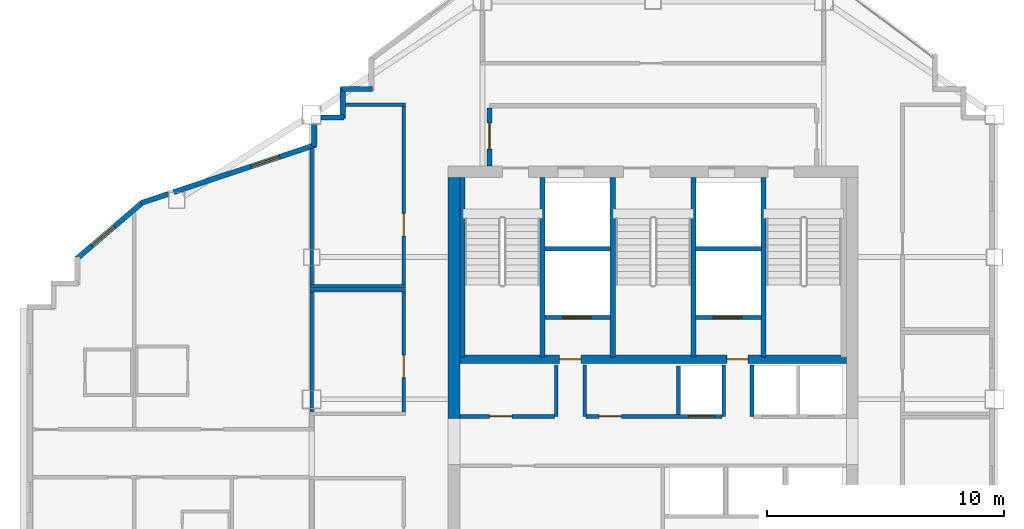
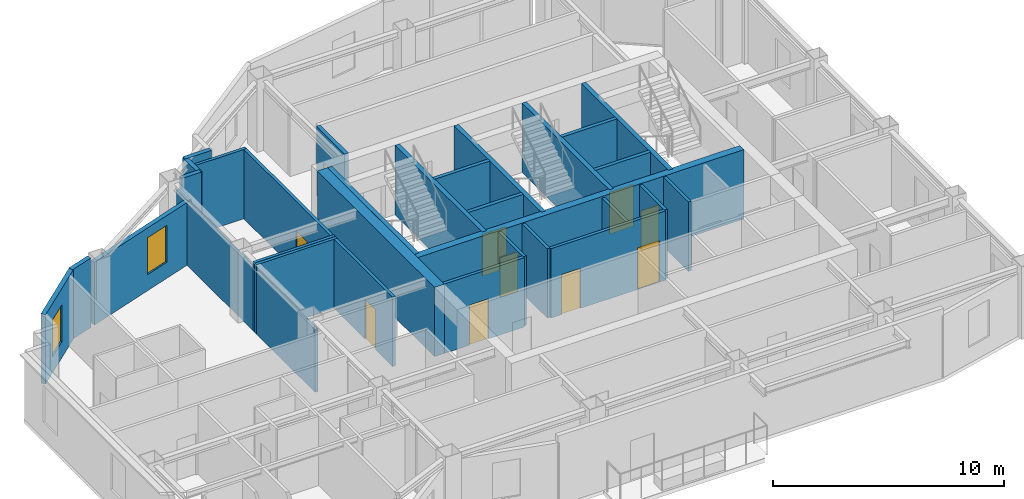
# One storey, part 6 of 10: 33 walls, 10 doors, 2 windows, 12 openings.
"""IFC4 building model written with IfcOpenShell, lengths in metres."""

from ifc_helpers import new_model, si_unit, direction, frame, frame_2d, origin, place, context, subcontext, project, spatial, rectangle, extrude, material, layer, layer_set, type_object, element, fill, save


model = new_model("IFC4")

# Units and contexts
model_context = context("Model", 3, precision=1e-05, world=origin(), true_north=direction((0.0, 1.0)))
body_context = subcontext(model_context, "Body", "Model", "MODEL_VIEW")
ifc_project = project(units=[si_unit("LENGTHUNIT", "METRE"), si_unit("AREAUNIT", "SQUARE_METRE"), si_unit("VOLUMEUNIT", "CUBIC_METRE"), si_unit("PLANEANGLEUNIT", "RADIAN"), si_unit("MASSUNIT", "GRAM", prefix="KILO")], contexts=[model_context])

# Site, building, storey
site_placement = place(None, origin())
site = spatial("IfcSite", under=ifc_project, at=site_placement, CompositionType="ELEMENT")
building_placement = place(site_placement, origin())
building = spatial("IfcBuilding", under=site, at=building_placement, Name="Haolan Belvedere Tower", CompositionType="ELEMENT")
storey_placement = place(building_placement, frame((0.0, 0.0, 266.0)))
storey = spatial("IfcBuildingStorey", under=building, at=storey_placement, Name="L67", CompositionType="ELEMENT", Elevation=266.0)

# Walls
ifc_material_1 = material(Name="Concrete C50/60", Category="concrete")
ifc_layer_1 = layer(ifc_material_1, 0.5, Name="Concrete C50/60")
ifc_layer_set_1 = layer_set([ifc_layer_1], Name="Concrete C50/60")
wall_type_1 = type_object("IfcWallType", Name="WL-CORE-500", PredefinedType="SHEAR", material=ifc_layer_set_1)
wall_1_placement = place(storey_placement, frame((30.0, 32.800048828125, 0.0), z_axis=(0.0, 0.0, 1.0), x_axis=(0.0, 1.0, 0.0)))
element("IfcWall", 1, at=wall_1_placement, inside=storey, type_object=wall_type_1, Name="L67 central core shear wall WN", PredefinedType="SHEAR", context=body_context, shape_type="SweptSolid", body=[
    extrude(rectangle(XDim=10.14990234375, YDim=0.5, at=frame_2d((5.074951171875, 0.0))), origin(), (0.0, 0.0, 1.0), 3.669921875),
])
ifc_material_2 = material(Name="Precast concrete C40/50", Category="concrete")
ifc_layer_2 = layer(ifc_material_2, 0.219970703125, Name="Precast concrete C40/50")
ifc_layer_set_2 = layer_set([ifc_layer_2], Name="Precast concrete C40/50")
wall_type_2 = type_object("IfcWallType", Name="WL-EXT-220", PredefinedType="SOLIDWALL", material=ifc_layer_set_2)
for number, where, z_axis, x_axis, name in (
    (2, (26.56494140625, 46.68994140625, 0.0), (0.0, 0.0, 1.0), (-1.0, 0.0, 0.0), "L67 pale-metal exterior spandrel wall 13.1"),
    (3, (25.31005859375, 46.7451171875, 0.0), (0.0, 0.0, 1.0), (0.0, -1.0, 0.0), "L67 pale-metal exterior spandrel wall 14.1"),
):
    element("IfcWall", number, at=place(storey_placement, frame(where, z_axis=z_axis, x_axis=x_axis)), inside=storey, type_object=wall_type_2, Name=name, PredefinedType="SOLIDWALL", context=body_context, shape_type="SweptSolid", body=[
        extrude(rectangle(XDim=1.31005859375, YDim=0.219970703125, at=frame_2d((0.655029296875, 0.0))), origin(), (0.0, 0.0, 1.0), 3.669921875),
    ])
wall_2_placement = place(storey_placement, frame((25.364990234375, 45.489990234375, 0.0), z_axis=(0.0, 0.0, 1.0), x_axis=(-1.0, 0.0, 0.0)))
element("IfcWall", 4, at=wall_2_placement, inside=storey, type_object=wall_type_2, Name="L67 pale-metal exterior spandrel wall 15.1", PredefinedType="SOLIDWALL", context=body_context, shape_type="SweptSolid", body=[
    extrude(rectangle(XDim=0.972900390625, YDim=0.219970703125, at=frame_2d((0.486328125, 0.0))), origin(), (0.0, 0.0, 1.0), 3.669921875),
])
wall_3_placement = place(storey_placement, frame((24.110107421875, 45.2080078125, 0.0), z_axis=(0.0, 0.0, 1.0), x_axis=(0.0, -1.0, 0.0)))
element("IfcWall", 5, at=wall_3_placement, inside=storey, type_object=wall_type_2, Name="L67 pale-metal exterior spandrel wall 16.1", PredefinedType="SOLIDWALL", context=body_context, shape_type="SweptSolid", body=[
    extrude(rectangle(XDim=0.9423828125, YDim=0.219970703125, at=frame_2d((0.47119140625, 0.0))), origin(), (0.0, 0.0, 1.0), 3.31494140625),
])

# Wall, opening, window
wall_4_placement = place(storey_placement, frame((24.162109375, 44.338134765625, 0.0), z_axis=(0.0, 0.0, 1.0), x_axis=(-0.948687165594, -0.31621616315, 0.0)))
wall_4 = element("IfcWall", 6, at=wall_4_placement, inside=storey, type_object=wall_type_2, Name="L67 pale-metal exterior spandrel wall 17.1", PredefinedType="SOLIDWALL", context=body_context, shape_type="SweptSolid", body=[
    extrude(rectangle(XDim=6.3125, YDim=0.219970703125, at=frame_2d((3.15625, 0.0))), origin(), (0.0, 0.0, 1.0), 3.31494140625),
])
opening_1_placement = place(wall_4_placement, frame((1.60009765625, 0.0, 0.85009765625)))
opening_1 = element("IfcOpeningElement", 7, at=opening_1_placement, cuts=wall_4, Name="Opening W-04", PredefinedType="OPENING", context=body_context, shape_type="SweptSolid", body=[
    extrude(rectangle(XDim=1.25, YDim=1.949951171875, at=frame_2d((0.625, 0.97509765625))), frame((0.0, 0.119873046875, 0.0), z_axis=(0.0, -1.0, 0.0), x_axis=(1.0, 0.0, 0.0)), (0.0, 0.0, 1.0), 0.239990234375),
])
ifc_material_3 = material(Name="Anodised aluminium 6063-T6 and Low-E glass", Category="aluminium")
window_type = type_object("IfcWindowType", Name="WN-DECO-Z4", PartitioningType="SINGLE_PANEL", PredefinedType="WINDOW", material=ifc_material_3)
window_1_placement = place(opening_1_placement, origin())
window_1 = element("IfcWindow", 8, at=window_1_placement, inside=storey, type_object=window_type, Name="L67 Art Deco chevron window 1", OverallHeight=1.949951171875, OverallWidth=1.25, PartitioningType="SINGLE_PANEL", PredefinedType="WINDOW", context=body_context, shape_type="SweptSolid", body=[
    extrude(rectangle(XDim=1.25, YDim=1.949951171875, at=frame_2d((0.625, 0.97509765625))), frame((0.0, 0.030029296875, 0.0), z_axis=(0.0, -1.0, 0.0), x_axis=(1.0, 0.0, 0.0)), (0.0, 0.0, 1.0), 0.06005859375),
])
fill(opening_1, window_1)

# Wall
wall_5_placement = place(storey_placement, frame((17.9580078125, 42.27001953125, 0.0), z_axis=(0.0, 0.0, 1.0), x_axis=(-0.948683298051, -0.316227766017, 0.0)))
element("IfcWall", 9, at=wall_5_placement, inside=storey, type_object=wall_type_2, Name="L67 pale-metal exterior spandrel wall 17.2", PredefinedType="SOLIDWALL", context=body_context, shape_type="SweptSolid", body=[
    extrude(rectangle(XDim=1.217529296875, YDim=0.219970703125, at=frame_2d((0.60888671875, 0.0))), origin(), (0.0, 0.0, 1.0), 3.669921875),
])

# Wall, opening, window
wall_6_placement = place(storey_placement, frame((16.89697265625, 41.938232421875, 0.0), z_axis=(0.0, 0.0, 1.0), x_axis=(-0.759279729622, -0.650764390686, 0.0)))
wall_6 = element("IfcWall", 10, at=wall_6_placement, inside=storey, type_object=wall_type_2, Name="L67 pale-metal exterior spandrel wall 18.1", PredefinedType="SOLIDWALL", context=body_context, shape_type="SweptSolid", body=[
    extrude(rectangle(XDim=3.725830078125, YDim=0.219970703125, at=frame_2d((1.86279296875, 0.0))), origin(), (0.0, 0.0, 1.0), 3.669921875),
])
opening_2_placement = place(wall_6_placement, frame((1.60009765625, 0.0, 0.85009765625)))
opening_2 = element("IfcOpeningElement", 11, at=opening_2_placement, cuts=wall_6, Name="Opening W-04", PredefinedType="OPENING", context=body_context, shape_type="SweptSolid", body=[
    extrude(rectangle(XDim=1.25, YDim=1.949951171875, at=frame_2d((0.625, 0.97509765625))), frame((0.0, 0.119873046875, 0.0), z_axis=(0.0, -1.0, 0.0), x_axis=(1.0, 0.0, 0.0)), (0.0, 0.0, 1.0), 0.239990234375),
])
window_2_placement = place(opening_2_placement, origin())
window_2 = element("IfcWindow", 12, at=window_2_placement, inside=storey, type_object=window_type, Name="L67 Art Deco chevron window 1", OverallHeight=1.949951171875, OverallWidth=1.25, PartitioningType="SINGLE_PANEL", PredefinedType="WINDOW", context=body_context, shape_type="SweptSolid", body=[
    extrude(rectangle(XDim=1.25, YDim=1.949951171875, at=frame_2d((0.625, 0.97509765625))), frame((0.0, 0.030029296875, 0.0), z_axis=(0.0, -1.0, 0.0), x_axis=(1.0, 0.0, 0.0)), (0.0, 0.0, 1.0), 0.06005859375),
])
fill(opening_2, window_2)

# Wall, opening, door
ifc_material_4 = material(Name="Concrete C40/50", Category="concrete")
ifc_layer_3 = layer(ifc_material_4, 0.199951171875, Name="Concrete C40/50")
ifc_layer_set_3 = layer_set([ifc_layer_3], Name="Concrete C40/50")
wall_type_3 = type_object("IfcWallType", Name="WL-FIRE-200", PredefinedType="SOLIDWALL", material=ifc_layer_set_3)
wall_7_placement = place(storey_placement, frame((31.5, 43.449951171875, 0.0), z_axis=(0.0, 0.0, 1.0), x_axis=(0.0, 1.0, 0.0)))
wall_7 = element("IfcWall", 13, at=wall_7_placement, inside=storey, type_object=wall_type_3, Name="L67 interior partition IW-L67-FFL-W", PredefinedType="SOLIDWALL", context=body_context, shape_type="SweptSolid", body=[
    extrude(rectangle(XDim=2.445068359375, YDim=0.199951171875, at=frame_2d((1.22265625, 0.0))), origin(), (0.0, 0.0, 1.0), 3.669921875),
])
opening_3_placement = place(wall_7_placement, frame((1.800048828125, 0.0, 0.0), z_axis=(0.0, 0.0, 1.0), x_axis=(-1.0, 0.0, 0.0)))
opening_3 = element("IfcOpeningElement", 14, at=opening_3_placement, cuts=wall_7, Name="Opening FD-03", PredefinedType="OPENING", context=body_context, shape_type="SweptSolid", body=[
    extrude(rectangle(XDim=1.10009765625, YDim=2.14990234375, at=frame_2d((0.550048828125, 1.074951171875))), frame((0.0, 0.10986328125, 0.0), z_axis=(0.0, -1.0, 0.0), x_axis=(1.0, 0.0, 0.0)), (0.0, 0.0, 1.0), 0.219970703125),
])
ifc_material_5 = material(Name="Galvanised fire-rated steel", Category="steel")
door_type_1 = type_object("IfcDoorType", Name="DR-FD90-1100", OperationType="NOTDEFINED", PredefinedType="DOOR", material=ifc_material_5)
door_1_placement = place(opening_3_placement, origin())
door_1 = element("IfcDoor", 15, at=door_1_placement, inside=storey, type_object=door_type_1, Name="L67 door ID-L67-FFL-DW", OperationType="SINGLE_SWING_LEFT", OverallHeight=2.14990234375, OverallWidth=1.10009765625, PredefinedType="DOOR", context=body_context, shape_type="SweptSolid", body=[
    extrude(rectangle(XDim=1.10009765625, YDim=2.14990234375, at=frame_2d((0.550048828125, 1.074951171875))), frame((0.0, 0.02490234375, 0.0), z_axis=(0.0, -1.0, 0.0), x_axis=(1.0, 0.0, 0.0)), (0.0, 0.0, 1.0), 0.050048828125),
])
fill(opening_3, door_1)

# Walls
ifc_material_6 = material(Name="Double gypsum acoustic stud partition", Category="masonry")
ifc_layer_4 = layer(ifc_material_6, 0.14990234375, Name="Double gypsum acoustic stud partition")
ifc_layer_set_4 = layer_set([ifc_layer_4], Name="Double gypsum acoustic stud partition")
wall_type_4 = type_object("IfcWallType", Name="WL-PART-150", PredefinedType="PARTITIONING", material=ifc_layer_set_4)
wall_8_placement = place(storey_placement, frame((23.919921875, 38.199951171875, 0.0), z_axis=(0.0, 0.0, 1.0), x_axis=(1.0, 0.0, 0.0)))
element("IfcWall", 16, at=wall_8_placement, inside=storey, type_object=wall_type_4, Name="L67 interior partition IW-L67-HSK-N", PredefinedType="PARTITIONING", context=body_context, shape_type="SweptSolid", body=[
    extrude(rectangle(XDim=4.0400390625, YDim=0.14990234375, at=frame_2d((2.02001953125, 0.0))), origin(), (0.0, 0.0, 1.0), 3.669921875),
])
wall_9_placement = place(storey_placement, frame((24.0, 33.06005859375, 0.0), z_axis=(0.0, 0.0, 1.0), x_axis=(0.0, 1.0, 0.0)))
element("IfcWall", 17, at=wall_9_placement, inside=storey, type_object=wall_type_4, Name="L67 interior partition IW-L67-HSK-W", PredefinedType="PARTITIONING", context=body_context, shape_type="SweptSolid", body=[
    extrude(rectangle(XDim=5.079833984375, YDim=0.14990234375, at=frame_2d((2.5400390625, 0.0))), origin(), (0.0, 0.0, 1.0), 3.31494140625),
])

# Wall, opening, door
wall_10_placement = place(storey_placement, frame((27.8798828125, 33.06005859375, 0.0), z_axis=(0.0, 0.0, 1.0), x_axis=(0.0, 1.0, 0.0)))
wall_10 = element("IfcWall", 18, at=wall_10_placement, inside=storey, type_object=wall_type_4, Name="L67 interior partition IW-L67-HSK-E", PredefinedType="PARTITIONING", context=body_context, shape_type="SweptSolid", body=[
    extrude(rectangle(XDim=5.079833984375, YDim=0.14990234375, at=frame_2d((2.5400390625, 0.0))), origin(), (0.0, 0.0, 1.0), 3.669921875),
])
opening_4_placement = place(wall_10_placement, frame((2.409912109375, 0.0, 0.0), z_axis=(0.0, 0.0, 1.0), x_axis=(-1.0, 0.0, 0.0)))
opening_4 = element("IfcOpeningElement", 19, at=opening_4_placement, cuts=wall_10, Name="Opening ID-03", PredefinedType="OPENING", context=body_context, shape_type="SweptSolid", body=[
    extrude(rectangle(XDim=0.949951171875, YDim=2.1201171875, at=frame_2d((0.47509765625, 1.06005859375))), frame((0.0, 0.0849609375, 0.0), z_axis=(0.0, -1.0, 0.0), x_axis=(1.0, 0.0, 0.0)), (0.0, 0.0, 1.0), 0.169921875),
])
ifc_material_7 = material(Name="Painted solid-core timber", Category="wood")
door_type_2 = type_object("IfcDoorType", Name="DR-INT-950", OperationType="NOTDEFINED", PredefinedType="DOOR", material=ifc_material_7)
door_2_placement = place(opening_4_placement, origin())
door_2 = element("IfcDoor", 20, at=door_2_placement, inside=storey, type_object=door_type_2, Name="L67 door ID-L67-HSK", OperationType="SINGLE_SWING_LEFT", OverallHeight=2.1201171875, OverallWidth=0.949951171875, PredefinedType="DOOR", context=body_context, shape_type="SweptSolid", body=[
    extrude(rectangle(XDim=0.949951171875, YDim=2.1201171875, at=frame_2d((0.47509765625, 1.06005859375))), frame((0.0, 0.02490234375, 0.0), z_axis=(0.0, -1.0, 0.0), x_axis=(1.0, 0.0, 0.0)), (0.0, 0.0, 1.0), 0.050048828125),
])
fill(opening_4, door_2)

# Walls
wall_11_placement = place(storey_placement, frame((25.412109375, 46.02001953125, 0.0), z_axis=(0.0, 0.0, 1.0), x_axis=(1.0, 0.0, 0.0)))
element("IfcWall", 21, at=wall_11_placement, inside=storey, type_object=wall_type_4, Name="L67 interior partition IW-L67-VLT-N", PredefinedType="PARTITIONING", context=body_context, shape_type="SweptSolid", body=[
    extrude(rectangle(XDim=2.5478515625, YDim=0.14990234375, at=frame_2d((1.27392578125, 0.0))), origin(), (0.0, 0.0, 1.0), 3.669921875),
])
wall_12_placement = place(storey_placement, frame((23.919921875, 38.360107421875, 0.0), z_axis=(0.0, 0.0, 1.0), x_axis=(1.0, 0.0, 0.0)))
element("IfcWall", 22, at=wall_12_placement, inside=storey, type_object=wall_type_4, Name="L67 interior partition IW-L67-VLT-S", PredefinedType="PARTITIONING", context=body_context, shape_type="SweptSolid", body=[
    extrude(rectangle(XDim=4.0400390625, YDim=0.14990234375, at=frame_2d((2.02001953125, 0.0))), origin(), (0.0, 0.0, 1.0), 3.669921875),
])
wall_13_placement = place(storey_placement, frame((24.0, 38.419921875, 0.0), z_axis=(0.0, 0.0, 1.0), x_axis=(0.0, 1.0, 0.0)))
element("IfcWall", 23, at=wall_13_placement, inside=storey, type_object=wall_type_4, Name="L67 interior partition IW-L67-VLT-W", PredefinedType="PARTITIONING", context=body_context, shape_type="SweptSolid", body=[
    extrude(rectangle(XDim=5.756591796875, YDim=0.14990234375, at=frame_2d((2.87841796875, 0.0))), origin(), (0.0, 0.0, 1.0), 3.31494140625),
])

# Wall, opening, door
wall_14_placement = place(storey_placement, frame((27.8798828125, 38.419921875, 0.0), z_axis=(0.0, 0.0, 1.0), x_axis=(0.0, 1.0, 0.0)))
wall_14 = element("IfcWall", 24, at=wall_14_placement, inside=storey, type_object=wall_type_4, Name="L67 interior partition IW-L67-VLT-E", PredefinedType="PARTITIONING", context=body_context, shape_type="SweptSolid", body=[
    extrude(rectangle(XDim=7.5400390625, YDim=0.14990234375, at=frame_2d((3.77001953125, 0.0))), origin(), (0.0, 0.0, 1.0), 3.669921875),
])
opening_5_placement = place(wall_14_placement, frame((3.010009765625, 0.0, 0.0), z_axis=(0.0, 0.0, 1.0), x_axis=(-1.0, 0.0, 0.0)))
opening_5 = element("IfcOpeningElement", 25, at=opening_5_placement, cuts=wall_14, Name="Opening ID-03", PredefinedType="OPENING", context=body_context, shape_type="SweptSolid", body=[
    extrude(rectangle(XDim=0.949951171875, YDim=2.1201171875, at=frame_2d((0.47509765625, 1.06005859375))), frame((0.0, 0.0849609375, 0.0), z_axis=(0.0, -1.0, 0.0), x_axis=(1.0, 0.0, 0.0)), (0.0, 0.0, 1.0), 0.169921875),
])
door_3_placement = place(opening_5_placement, origin())
door_3 = element("IfcDoor", 26, at=door_3_placement, inside=storey, type_object=door_type_2, Name="L67 door ID-L67-VLT", OperationType="SINGLE_SWING_RIGHT", OverallHeight=2.1201171875, OverallWidth=0.949951171875, PredefinedType="DOOR", context=body_context, shape_type="SweptSolid", body=[
    extrude(rectangle(XDim=0.949951171875, YDim=2.1201171875, at=frame_2d((0.47509765625, 1.06005859375))), frame((0.0, 0.02490234375, 0.0), z_axis=(0.0, -1.0, 0.0), x_axis=(1.0, 0.0, 0.0)), (0.0, 0.0, 1.0), 0.050048828125),
])
fill(opening_5, door_3)

# Walls
ifc_material_8 = material(Name="Gypsum fire shaftwall assembly", Category="masonry")
ifc_layer_5 = layer(ifc_material_8, 0.1650390625, Name="Gypsum fire shaftwall assembly")
ifc_layer_set_5 = layer_set([ifc_layer_5], Name="Gypsum fire shaftwall assembly")
wall_type_5 = type_object("IfcWallType", Name="WL-SHAFT-160", PredefinedType="SOLIDWALL", material=ifc_layer_set_5)
for number, where, z_axis, x_axis, name in (
    (27, (34.31005859375, 32.8798828125, 0.0), (0.0, 0.0, 1.0), (0.0, 1.0, 0.0), "L67 interior partition IW-L67-SVP-W-SV1"),
    (28, (35.510009765625, 32.8798828125, 0.0), (0.0, 0.0, 1.0), (0.0, 1.0, 0.0), "L67 interior partition IW-L67-SVP-E-SV1"),
    (29, (41.3701171875, 32.8798828125, 0.0), (0.0, 0.0, 1.0), (0.0, 1.0, 0.0), "L67 interior partition IW-L67-SVP-W-SV2"),
    (30, (42.570068359375, 32.8798828125, 0.0), (0.0, 0.0, 1.0), (0.0, 1.0, 0.0), "L67 interior partition IW-L67-SVP-E-SV2"),
):
    element("IfcWall", number, at=place(storey_placement, frame(where, z_axis=z_axis, x_axis=x_axis)), inside=storey, type_object=wall_type_5, Name=name, PredefinedType="SOLIDWALL", context=body_context, shape_type="SweptSolid", body=[
        extrude(rectangle(XDim=2.170166015625, YDim=0.14990234375, at=frame_2d((1.0849609375, 0.0))), origin(), (0.0, 0.0, 1.0), 3.669921875),
    ])

# Wall, opening, door
wall_15_placement = place(storey_placement, frame((30.25, 32.8798828125, 0.0), z_axis=(0.0, 0.0, 1.0), x_axis=(1.0, 0.0, 0.0)))
wall_15 = element("IfcWall", 31, at=wall_15_placement, inside=storey, type_object=wall_type_5, Name="L67 interior partition IW-L67-ROW-PN1", PredefinedType="SOLIDWALL", context=body_context, shape_type="SweptSolid", body=[
    extrude(rectangle(XDim=4.0, YDim=0.159912109375, at=frame_2d((2.0, 0.0))), origin(), (0.0, 0.0, 1.0), 3.669921875),
])
opening_6_placement = place(wall_15_placement, frame((2.199951171875, 0.0, 0.0), z_axis=(0.0, 0.0, 1.0), x_axis=(-1.0, 0.0, 0.0)))
opening_6 = element("IfcOpeningElement", 32, at=opening_6_placement, cuts=wall_15, Name="Opening ID-03", PredefinedType="OPENING", context=body_context, shape_type="SweptSolid", body=[
    extrude(rectangle(XDim=0.949951171875, YDim=2.1201171875, at=frame_2d((0.47509765625, 1.06005859375))), frame((0.0, 0.08984375, 0.0), z_axis=(0.0, -1.0, 0.0), x_axis=(1.0, 0.0, 0.0)), (0.0, 0.0, 1.0), 0.179931640625),
])
door_4_placement = place(opening_6_placement, origin())
door_4 = element("IfcDoor", 33, at=door_4_placement, inside=storey, type_object=door_type_2, Name="L67 door ID-L67-CD-RPLW", OperationType="SINGLE_SWING_LEFT", OverallHeight=2.1201171875, OverallWidth=0.949951171875, PredefinedType="DOOR", context=body_context, shape_type="SweptSolid", body=[
    extrude(rectangle(XDim=0.949951171875, YDim=2.1201171875, at=frame_2d((0.47509765625, 1.06005859375))), frame((0.0, 0.02490234375, 0.0), z_axis=(0.0, -1.0, 0.0), x_axis=(1.0, 0.0, 0.0)), (0.0, 0.0, 1.0), 0.050048828125),
])
fill(opening_6, door_4)

# Wall, openings, doors
wall_16_placement = place(storey_placement, frame((35.570068359375, 32.8798828125, 0.0), z_axis=(0.0, 0.0, 1.0), x_axis=(1.0, 0.0, 0.0)))
wall_16 = element("IfcWall", 34, at=wall_16_placement, inside=storey, type_object=wall_type_5, Name="L67 interior partition IW-L67-ROW-PN2", PredefinedType="SOLIDWALL", context=body_context, shape_type="SweptSolid", body=[
    extrude(rectangle(XDim=5.739990234375, YDim=0.159912109375, at=frame_2d((2.8701171875, 0.0))), origin(), (0.0, 0.0, 1.0), 3.669921875),
])
opening_7_placement = place(wall_16_placement, frame((1.489990234375, 0.0, 0.0), z_axis=(0.0, 0.0, 1.0), x_axis=(-1.0, 0.0, 0.0)))
opening_7 = element("IfcOpeningElement", 35, at=opening_7_placement, cuts=wall_16, Name="Opening ID-03", PredefinedType="OPENING", context=body_context, shape_type="SweptSolid", body=[
    extrude(rectangle(XDim=0.949951171875, YDim=2.1201171875, at=frame_2d((0.47509765625, 1.06005859375))), frame((0.0, 0.08984375, 0.0), z_axis=(0.0, -1.0, 0.0), x_axis=(1.0, 0.0, 0.0)), (0.0, 0.0, 1.0), 0.179931640625),
])
opening_8_placement = place(wall_16_placement, frame((5.43017578125, 0.0, 0.0), z_axis=(0.0, 0.0, 1.0), x_axis=(-1.0, 0.0, 0.0)))
opening_8 = element("IfcOpeningElement", 36, at=opening_8_placement, cuts=wall_16, Name="Opening LD-01", PredefinedType="OPENING", context=body_context, shape_type="SweptSolid", body=[
    extrude(rectangle(XDim=1.10009765625, YDim=2.199951171875, at=frame_2d((0.550048828125, 1.10009765625))), frame((0.0, 0.08984375, 0.0), z_axis=(0.0, -1.0, 0.0), x_axis=(1.0, 0.0, 0.0)), (0.0, 0.0, 1.0), 0.179931640625),
])
door_5_placement = place(opening_7_placement, origin())
door_5 = element("IfcDoor", 37, at=door_5_placement, inside=storey, type_object=door_type_2, Name="L67 door ID-L67-CD-RPLE", OperationType="SINGLE_SWING_RIGHT", OverallHeight=2.1201171875, OverallWidth=0.949951171875, PredefinedType="DOOR", context=body_context, shape_type="SweptSolid", body=[
    extrude(rectangle(XDim=0.949951171875, YDim=2.1201171875, at=frame_2d((0.47509765625, 1.06005859375))), frame((0.0, 0.02490234375, 0.0), z_axis=(0.0, -1.0, 0.0), x_axis=(1.0, 0.0, 0.0)), (0.0, 0.0, 1.0), 0.050048828125),
])
fill(opening_7, door_5)
ifc_material_9 = material(Name="Brushed champagne stainless steel 316L", Category="steel")
door_type_3 = type_object("IfcDoorType", Name="DR-LIFT-1100", OperationType="SLIDING_TO_LEFT", PredefinedType="DOOR", material=ifc_material_9)
door_6_placement = place(opening_8_placement, origin())
door_6 = element("IfcDoor", 38, at=door_6_placement, inside=storey, type_object=door_type_3, Name="L67 door ID-L67-LD-PH1", OperationType="SLIDING_TO_RIGHT", OverallHeight=2.199951171875, OverallWidth=1.10009765625, PredefinedType="DOOR", context=body_context, shape_type="SweptSolid", body=[
    extrude(rectangle(XDim=1.10009765625, YDim=2.199951171875, at=frame_2d((0.550048828125, 1.10009765625))), frame((0.0, 0.02490234375, 0.0), z_axis=(0.0, -1.0, 0.0), x_axis=(1.0, 0.0, 0.0)), (0.0, 0.0, 1.0), 0.050048828125),
])
fill(opening_8, door_6)

# Walls
wall_17_placement = place(storey_placement, frame((39.469970703125, 32.949951171875, 0.0), z_axis=(0.0, 0.0, 1.0), x_axis=(0.0, 1.0, 0.0)))
element("IfcWall", 39, at=wall_17_placement, inside=storey, type_object=wall_type_5, Name="L67 interior partition IW-L67-DIV-PL4R", PredefinedType="SOLIDWALL", context=body_context, shape_type="SweptSolid", body=[
    extrude(rectangle(XDim=2.050048828125, YDim=0.14990234375, at=frame_2d((1.02490234375, 0.0))), origin(), (0.0, 0.0, 1.0), 3.669921875),
])
ifc_layer_6 = layer(ifc_material_2, 0.179931640625, Name="Precast concrete C40/50")
ifc_layer_set_6 = layer_set([ifc_layer_6], Name="Precast concrete C40/50")
wall_type_6 = type_object("IfcWallType", Name="WL-SHAFT-180", PredefinedType="SOLIDWALL", material=ifc_layer_set_6)
for number, where, z_axis, x_axis, name in (
    (40, (33.8349609375, 39.949951171875, 0.0), (0.0, 0.0, 1.0), (1.0, 0.0, 0.0), "L67 interior partition IW-L67-FF1-S"),
    (41, (40.195068359375, 39.949951171875, 0.0), (0.0, 0.0, 1.0), (1.0, 0.0, 0.0), "L67 interior partition IW-L67-FF2-S"),
):
    element("IfcWall", number, at=place(storey_placement, frame(where, z_axis=z_axis, x_axis=x_axis)), inside=storey, type_object=wall_type_6, Name=name, PredefinedType="SOLIDWALL", context=body_context, shape_type="SweptSolid", body=[
        extrude(rectangle(XDim=2.77001953125, YDim=0.179931640625, at=frame_2d((1.385009765625, 0.0))), origin(), (0.0, 0.0, 1.0), 3.669921875),
    ])

# Wall, opening, door
wall_18_placement = place(storey_placement, frame((33.8349609375, 37.050048828125, 0.0), z_axis=(0.0, 0.0, 1.0), x_axis=(1.0, 0.0, 0.0)))
wall_18 = element("IfcWall", 42, at=wall_18_placement, inside=storey, type_object=wall_type_6, Name="L67 interior partition IW-L67-SV1-S", PredefinedType="SOLIDWALL", context=body_context, shape_type="SweptSolid", body=[
    extrude(rectangle(XDim=2.77001953125, YDim=0.179931640625, at=frame_2d((1.385009765625, 0.0))), origin(), (0.0, 0.0, 1.0), 3.669921875),
])
opening_9_placement = place(wall_18_placement, frame((1.945068359375, 0.0, 0.0), z_axis=(0.0, 0.0, 1.0), x_axis=(-1.0, 0.0, 0.0)))
opening_9 = element("IfcOpeningElement", 43, at=opening_9_placement, cuts=wall_18, Name="Opening LD-02", PredefinedType="OPENING", context=body_context, shape_type="SweptSolid", body=[
    extrude(rectangle(XDim=1.199951171875, YDim=2.199951171875, at=frame_2d((0.60009765625, 1.10009765625))), frame((0.0, 0.099853515625, 0.0), z_axis=(0.0, -1.0, 0.0), x_axis=(1.0, 0.0, 0.0)), (0.0, 0.0, 1.0), 0.199951171875),
])
door_type_4 = type_object("IfcDoorType", Name="DR-LIFT-1200", OperationType="SLIDING_TO_RIGHT", PredefinedType="DOOR", material=ifc_material_9)
door_7_placement = place(opening_9_placement, origin())
door_7 = element("IfcDoor", 44, at=door_7_placement, inside=storey, type_object=door_type_4, Name="L67 door ID-L67-LD-SV1", OperationType="SLIDING_TO_RIGHT", OverallHeight=2.199951171875, OverallWidth=1.199951171875, PredefinedType="DOOR", context=body_context, shape_type="SweptSolid", body=[
    extrude(rectangle(XDim=1.199951171875, YDim=2.199951171875, at=frame_2d((0.60009765625, 1.10009765625))), frame((0.0, 0.02490234375, 0.0), z_axis=(0.0, -1.0, 0.0), x_axis=(1.0, 0.0, 0.0)), (0.0, 0.0, 1.0), 0.050048828125),
])
fill(opening_9, door_7)

wall_19_placement = place(storey_placement, frame((40.195068359375, 37.050048828125, 0.0), z_axis=(0.0, 0.0, 1.0), x_axis=(1.0, 0.0, 0.0)))
wall_19 = element("IfcWall", 45, at=wall_19_placement, inside=storey, type_object=wall_type_6, Name="L67 interior partition IW-L67-SV2-S", PredefinedType="SOLIDWALL", context=body_context, shape_type="SweptSolid", body=[
    extrude(rectangle(XDim=2.77001953125, YDim=0.179931640625, at=frame_2d((1.385009765625, 0.0))), origin(), (0.0, 0.0, 1.0), 3.669921875),
])
opening_10_placement = place(wall_19_placement, frame((1.945068359375, 0.0, 0.0), z_axis=(0.0, 0.0, 1.0), x_axis=(-1.0, 0.0, 0.0)))
opening_10 = element("IfcOpeningElement", 46, at=opening_10_placement, cuts=wall_19, Name="Opening LD-02", PredefinedType="OPENING", context=body_context, shape_type="SweptSolid", body=[
    extrude(rectangle(XDim=1.199951171875, YDim=2.199951171875, at=frame_2d((0.60009765625, 1.10009765625))), frame((0.0, 0.099853515625, 0.0), z_axis=(0.0, -1.0, 0.0), x_axis=(1.0, 0.0, 0.0)), (0.0, 0.0, 1.0), 0.199951171875),
])
door_8_placement = place(opening_10_placement, origin())
door_8 = element("IfcDoor", 47, at=door_8_placement, inside=storey, type_object=door_type_4, Name="L67 door ID-L67-LD-SV2", OperationType="SLIDING_TO_RIGHT", OverallHeight=2.199951171875, OverallWidth=1.199951171875, PredefinedType="DOOR", context=body_context, shape_type="SweptSolid", body=[
    extrude(rectangle(XDim=1.199951171875, YDim=2.199951171875, at=frame_2d((0.60009765625, 1.10009765625))), frame((0.0, 0.02490234375, 0.0), z_axis=(0.0, -1.0, 0.0), x_axis=(1.0, 0.0, 0.0)), (0.0, 0.0, 1.0), 0.050048828125),
])
fill(opening_10, door_8)

# Walls
ifc_layer_7 = layer(ifc_material_1, 0.219970703125, Name="Concrete C50/60")
ifc_layer_set_7 = layer_set([ifc_layer_7], Name="Concrete C50/60")
wall_type_7 = type_object("IfcWallType", Name="WL-STAIR-220", PredefinedType="SHEAR", material=ifc_layer_set_7)
for number, where, z_axis, x_axis, name in (
    (48, (30.362060546875, 35.389892578125, 0.0), (0.0, 0.0, 1.0), (0.0, 1.0, 0.0), "L67 structural stair core wall ST1W"),
    (49, (33.739990234375, 35.389892578125, 0.0), (0.0, 0.0, 1.0), (0.0, 1.0, 0.0), "L67 structural stair core wall ST1E"),
    (50, (36.699951171875, 35.389892578125, 0.0), (0.0, 0.0, 1.0), (0.0, 1.0, 0.0), "L67 structural stair core wall ST3W"),
    (51, (40.10009765625, 35.389892578125, 0.0), (0.0, 0.0, 1.0), (0.0, 1.0, 0.0), "L67 structural stair core wall ST3E"),
    (52, (43.06005859375, 35.389892578125, 0.0), (0.0, 0.0, 1.0), (0.0, 1.0, 0.0), "L67 structural stair core wall ST2W"),
):
    element("IfcWall", number, at=place(storey_placement, frame(where, z_axis=z_axis, x_axis=x_axis)), inside=storey, type_object=wall_type_7, Name=name, PredefinedType="SHEAR", context=body_context, shape_type="SweptSolid", body=[
        extrude(rectangle(XDim=7.56005859375, YDim=0.219970703125, at=frame_2d((3.780029296875, 0.0))), origin(), (0.0, 0.0, 1.0), 3.669921875),
    ])

# Wall, openings, doors
ifc_material_10 = material(Name="Concrete C60/75", Category="concrete")
ifc_layer_8 = layer(ifc_material_10, 0.360107421875, Name="Concrete C60/75")
ifc_layer_set_8 = layer_set([ifc_layer_8], Name="Concrete C60/75")
wall_type_8 = type_object("IfcWallType", Name="WL-WEB-350", PredefinedType="SHEAR", material=ifc_layer_set_8)
wall_20_placement = place(storey_placement, frame((30.25, 35.2900390625, 0.0), z_axis=(0.0, 0.0, 1.0), x_axis=(1.0, 0.0, 0.0)))
wall_20 = element("IfcWall", 53, at=wall_20_placement, inside=storey, type_object=wall_type_8, Name="L67 central core internal shear web", PredefinedType="SHEAR", context=body_context, shape_type="SweptSolid", body=[
    extrude(rectangle(XDim=16.300048828125, YDim=0.360107421875, at=frame_2d((8.14990234375, 0.0))), origin(), (0.0, 0.0, 1.0), 3.669921875),
])
opening_11_placement = place(wall_20_placement, frame((5.099853515625, 0.0, 0.0), z_axis=(0.0, 0.0, 1.0), x_axis=(-1.0, 0.0, 0.0)))
opening_11 = element("IfcOpeningElement", 54, at=opening_11_placement, cuts=wall_20, Name="Opening FD-05", PredefinedType="OPENING", context=body_context, shape_type="SweptSolid", body=[
    extrude(rectangle(XDim=0.89990234375, YDim=2.10009765625, at=frame_2d((0.449951171875, 1.050048828125))), frame((0.0, 0.18994140625, 0.0), z_axis=(0.0, -1.0, 0.0), x_axis=(1.0, 0.0, 0.0)), (0.0, 0.0, 1.0), 0.380126953125),
])
opening_12_placement = place(wall_20_placement, frame((12.159912109375, 0.0, 0.0), z_axis=(0.0, 0.0, 1.0), x_axis=(-1.0, 0.0, 0.0)))
opening_12 = element("IfcOpeningElement", 55, at=opening_12_placement, cuts=wall_20, Name="Opening FD-05", PredefinedType="OPENING", context=body_context, shape_type="SweptSolid", body=[
    extrude(rectangle(XDim=0.89990234375, YDim=2.10009765625, at=frame_2d((0.449951171875, 1.050048828125))), frame((0.0, 0.18994140625, 0.0), z_axis=(0.0, -1.0, 0.0), x_axis=(1.0, 0.0, 0.0)), (0.0, 0.0, 1.0), 0.380126953125),
])
door_type_5 = type_object("IfcDoorType", Name="DR-FD60-900", OperationType="NOTDEFINED", PredefinedType="DOOR", material=ifc_material_5)
door_9_placement = place(opening_11_placement, origin())
door_9 = element("IfcDoor", 56, at=door_9_placement, inside=storey, type_object=door_type_5, Name="L67 door CD-L67-SVL-SV1", OperationType="SINGLE_SWING_RIGHT", OverallHeight=2.10009765625, OverallWidth=0.89990234375, PredefinedType="DOOR", context=body_context, shape_type="SweptSolid", body=[
    extrude(rectangle(XDim=0.89990234375, YDim=2.10009765625, at=frame_2d((0.449951171875, 1.050048828125))), frame((0.0, 0.02490234375, 0.0), z_axis=(0.0, -1.0, 0.0), x_axis=(1.0, 0.0, 0.0)), (0.0, 0.0, 1.0), 0.050048828125),
])
fill(opening_11, door_9)
door_10_placement = place(opening_12_placement, origin())
door_10 = element("IfcDoor", 57, at=door_10_placement, inside=storey, type_object=door_type_5, Name="L67 door CD-L67-SVL-SV2", OperationType="SINGLE_SWING_RIGHT", OverallHeight=2.10009765625, OverallWidth=0.89990234375, PredefinedType="DOOR", context=body_context, shape_type="SweptSolid", body=[
    extrude(rectangle(XDim=0.89990234375, YDim=2.10009765625, at=frame_2d((0.449951171875, 1.050048828125))), frame((0.0, 0.02490234375, 0.0), z_axis=(0.0, -1.0, 0.0), x_axis=(1.0, 0.0, 0.0)), (0.0, 0.0, 1.0), 0.050048828125),
])
fill(opening_12, door_10)

save(model, "model.ifc")
